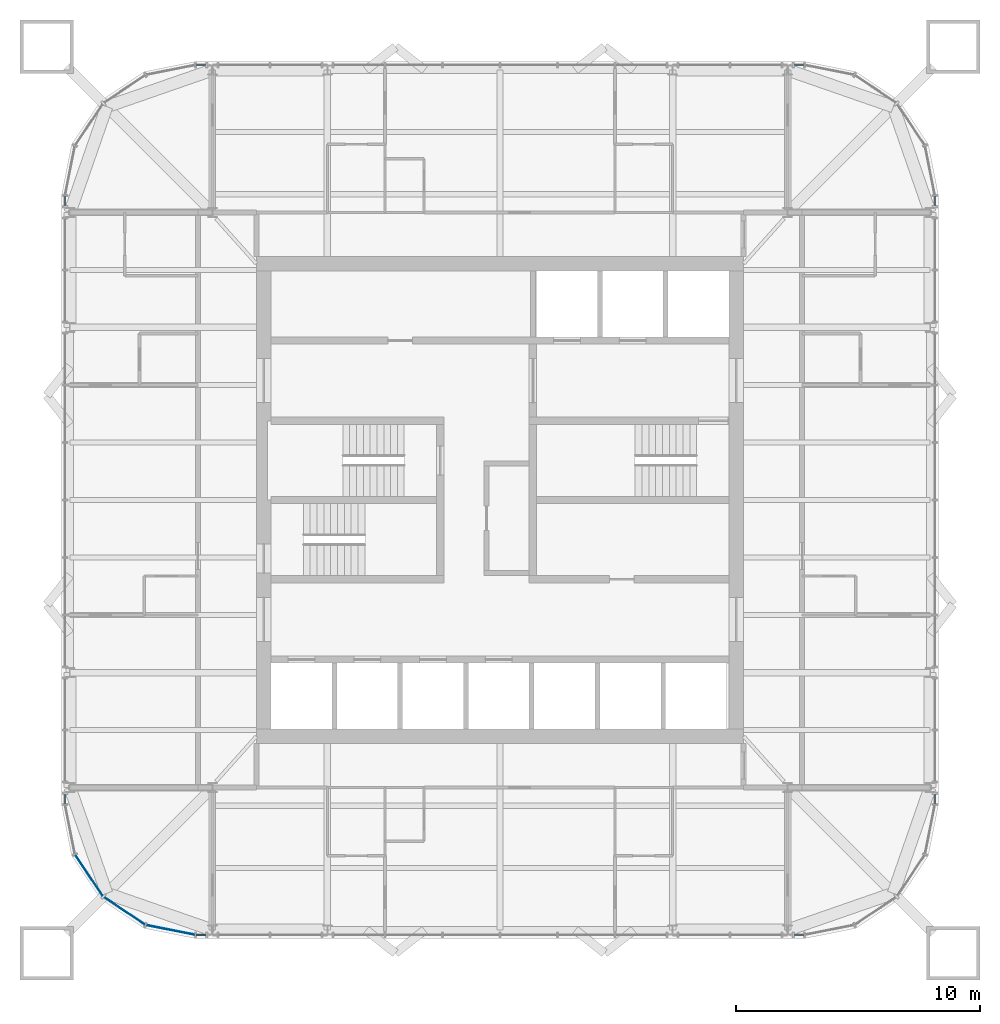
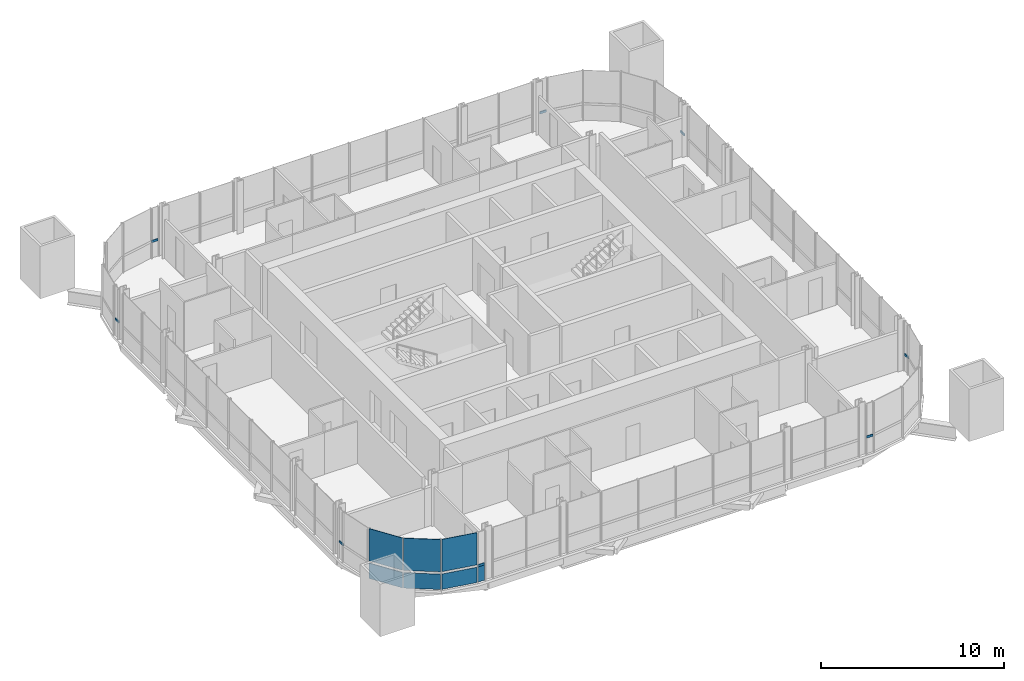
# One storey, part 7 of 17: 8 members, 7 plates, 9 elements without a shape of their own.
"""IFC4 building model written with IfcOpenShell, lengths in metres."""

from ifc_helpers import new_model, si_unit, direction, frame, origin, origin_2d, place, context, subcontext, project, spatial, rectangle, extrude, material, layer, layer_set, material_profile, profile_set, type_object, element, aggregate, save


model = new_model("IFC4")

# Units and contexts
model_context = context("Model", 3, precision=1e-05, world=origin(), true_north=direction((0.0, 1.0)))
body_context = subcontext(model_context, "Body", "Model", "MODEL_VIEW")
ifc_project = project(units=[si_unit("LENGTHUNIT", "METRE"), si_unit("AREAUNIT", "SQUARE_METRE"), si_unit("VOLUMEUNIT", "CUBIC_METRE"), si_unit("PLANEANGLEUNIT", "RADIAN"), si_unit("MASSUNIT", "GRAM", prefix="KILO")], contexts=[model_context])

# Site, building, storey
site_placement = place(None, origin())
site = spatial("IfcSite", under=ifc_project, at=site_placement, CompositionType="ELEMENT")
building_placement = place(site_placement, origin())
building = spatial("IfcBuilding", under=site, at=building_placement, Name="Turquesa Mirador Hotel Tower", CompositionType="ELEMENT")
storey_placement = place(building_placement, frame((0.0, 0.0, 254.699951171875)))
storey = spatial("IfcBuildingStorey", under=building, at=storey_placement, Name="L69", CompositionType="ELEMENT", Elevation=254.699951171875)

# Curtain wall, member
ifc_material_1 = material(Name="Aluminium extrusion", Category="aluminium")
curtain_wall_type = type_object("IfcCurtainWallType", Name="CW-4 SUITE FRITTED CURTAIN WALL", PredefinedType="USERDEFINED", material=ifc_material_1)
curtain_wall_1_placement = place(storey_placement, origin())
curtain_wall_1 = element("IfcCurtainWall", 1, at=curtain_wall_1_placement, inside=storey, type_object=curtain_wall_type, Name="CW-4 SUITE FRITTED CURTAIN WALL L69", ObjectType="CURTAIN WALL", PredefinedType="USERDEFINED")
ifc_material_2 = material(Name="Aluminium extrusion", Category="aluminium")
ifc_material_profile = material_profile(ifc_material_2, rectangle(XDim=0.06494140625, YDim=0.14990234375, at=origin_2d()), Name="TRANSOM 65X150")
ifc_profile_set = profile_set([ifc_material_profile], Name="Aluminium extrusion")
member_type = type_object("IfcMemberType", Name="CW TRANSOM 65X150", PredefinedType="USERDEFINED", material=ifc_profile_set)
member_1_placement = place(storey_placement, frame((72.85009765625, 32.532470703125, 1.10009765625), z_axis=(0.0, 1.0, 0.0), x_axis=(-1.0, 0.0, 0.0)))
member_1 = element("IfcMember", 2, at=member_1_placement, type_object=member_type, Name="Transom", ObjectType="TRANSOM", PredefinedType="USERDEFINED", context=body_context, shape_type="SweptSolid", body=[
    extrude(rectangle(XDim=0.06494140625, YDim=0.14990234375, at=origin_2d()), origin(), (0.0, 0.0, 1.0), 0.401123046875),
])
aggregate(curtain_wall_1, [member_1])

curtain_wall_2_placement = place(storey_placement, origin())
curtain_wall_2 = element("IfcCurtainWall", 3, at=curtain_wall_2_placement, inside=storey, type_object=curtain_wall_type, Name="CW-4 SUITE FRITTED CURTAIN WALL L69", ObjectType="CURTAIN WALL", PredefinedType="USERDEFINED")
member_2_placement = place(storey_placement, frame((72.85009765625, 57.06640625, 1.10009765625), z_axis=(0.0, 1.0, 0.0), x_axis=(-1.0, 0.0, 0.0)))
member_2 = element("IfcMember", 4, at=member_2_placement, type_object=member_type, Name="Transom", ObjectType="TRANSOM", PredefinedType="USERDEFINED", context=body_context, shape_type="SweptSolid", body=[
    extrude(rectangle(XDim=0.06494140625, YDim=0.14990234375, at=origin_2d()), origin(), (0.0, 0.0, 1.0), 0.401123046875),
])
aggregate(curtain_wall_2, [member_2])

curtain_wall_3_placement = place(storey_placement, origin())
curtain_wall_3 = element("IfcCurtainWall", 5, at=curtain_wall_3_placement, inside=storey, type_object=curtain_wall_type, Name="CW-4 SUITE FRITTED CURTAIN WALL L69", ObjectType="CURTAIN WALL", PredefinedType="USERDEFINED")
member_3_placement = place(storey_placement, frame((67.467529296875, 62.85009765625, 1.10009765625), z_axis=(-1.0, 0.0, 0.0), x_axis=(0.0, -1.0, 0.0)))
member_3 = element("IfcMember", 6, at=member_3_placement, type_object=member_type, Name="Transom", ObjectType="TRANSOM", PredefinedType="USERDEFINED", context=body_context, shape_type="SweptSolid", body=[
    extrude(rectangle(XDim=0.06494140625, YDim=0.14990234375, at=origin_2d()), origin(), (0.0, 0.0, 1.0), 0.401123046875),
])
aggregate(curtain_wall_3, [member_3])

curtain_wall_4_placement = place(storey_placement, origin())
curtain_wall_4 = element("IfcCurtainWall", 7, at=curtain_wall_4_placement, inside=storey, type_object=curtain_wall_type, Name="CW-4 SUITE FRITTED CURTAIN WALL L69", ObjectType="CURTAIN WALL", PredefinedType="USERDEFINED")
member_4_placement = place(storey_placement, frame((42.93359375, 62.85009765625, 1.10009765625), z_axis=(-1.0, 0.0, 0.0), x_axis=(0.0, -1.0, 0.0)))
member_4 = element("IfcMember", 8, at=member_4_placement, type_object=member_type, Name="Transom", ObjectType="TRANSOM", PredefinedType="USERDEFINED", context=body_context, shape_type="SweptSolid", body=[
    extrude(rectangle(XDim=0.06494140625, YDim=0.14990234375, at=origin_2d()), origin(), (0.0, 0.0, 1.0), 0.401123046875),
])
aggregate(curtain_wall_4, [member_4])

curtain_wall_5_placement = place(storey_placement, origin())
curtain_wall_5 = element("IfcCurtainWall", 9, at=curtain_wall_5_placement, inside=storey, type_object=curtain_wall_type, Name="CW-4 SUITE FRITTED CURTAIN WALL L69", ObjectType="CURTAIN WALL", PredefinedType="USERDEFINED")
member_5_placement = place(storey_placement, frame((37.14990234375, 57.467529296875, 1.10009765625), z_axis=(0.0, -1.0, 0.0), x_axis=(1.0, 0.0, 0.0)))
member_5 = element("IfcMember", 10, at=member_5_placement, type_object=member_type, Name="Transom", ObjectType="TRANSOM", PredefinedType="USERDEFINED", context=body_context, shape_type="SweptSolid", body=[
    extrude(rectangle(XDim=0.06494140625, YDim=0.14990234375, at=origin_2d()), origin(), (0.0, 0.0, 1.0), 0.401123046875),
])
aggregate(curtain_wall_5, [member_5])

curtain_wall_6_placement = place(storey_placement, origin())
curtain_wall_6 = element("IfcCurtainWall", 11, at=curtain_wall_6_placement, inside=storey, type_object=curtain_wall_type, Name="CW-4 SUITE FRITTED CURTAIN WALL L69", ObjectType="CURTAIN WALL", PredefinedType="USERDEFINED")
member_6_placement = place(storey_placement, frame((37.14990234375, 32.93359375, 1.10009765625), z_axis=(0.0, -1.0, 0.0), x_axis=(1.0, 0.0, 0.0)))
member_6 = element("IfcMember", 12, at=member_6_placement, type_object=member_type, Name="Transom", ObjectType="TRANSOM", PredefinedType="USERDEFINED", context=body_context, shape_type="SweptSolid", body=[
    extrude(rectangle(XDim=0.06494140625, YDim=0.14990234375, at=origin_2d()), origin(), (0.0, 0.0, 1.0), 0.401123046875),
])
aggregate(curtain_wall_6, [member_6])

curtain_wall_7_placement = place(storey_placement, origin())
curtain_wall_7 = element("IfcCurtainWall", 13, at=curtain_wall_7_placement, inside=storey, type_object=curtain_wall_type, Name="CW-4 SUITE FRITTED CURTAIN WALL L69", ObjectType="CURTAIN WALL", PredefinedType="USERDEFINED")
member_7_placement = place(storey_placement, frame((42.532470703125, 27.14990234375, 1.10009765625), z_axis=(1.0, 0.0, 0.0), x_axis=(0.0, 1.0, 0.0)))
member_7 = element("IfcMember", 14, at=member_7_placement, type_object=member_type, Name="Transom", ObjectType="TRANSOM", PredefinedType="USERDEFINED", context=body_context, shape_type="SweptSolid", body=[
    extrude(rectangle(XDim=0.06494140625, YDim=0.14990234375, at=origin_2d()), origin(), (0.0, 0.0, 1.0), 0.401123046875),
])

curtain_wall_8_placement = place(storey_placement, origin())
curtain_wall_8 = element("IfcCurtainWall", 15, at=curtain_wall_8_placement, inside=storey, type_object=curtain_wall_type, Name="CW-4 SUITE FRITTED CURTAIN WALL L69", ObjectType="CURTAIN WALL", PredefinedType="USERDEFINED")
member_8_placement = place(storey_placement, frame((67.06640625, 27.14990234375, 1.10009765625), z_axis=(1.0, 0.0, 0.0), x_axis=(0.0, 1.0, 0.0)))
member_8 = element("IfcMember", 16, at=member_8_placement, type_object=member_type, Name="Transom", ObjectType="TRANSOM", PredefinedType="USERDEFINED", context=body_context, shape_type="SweptSolid", body=[
    extrude(rectangle(XDim=0.06494140625, YDim=0.14990234375, at=origin_2d()), origin(), (0.0, 0.0, 1.0), 0.401123046875),
])
aggregate(curtain_wall_8, [member_8])

# Curtain wall, plates
curtain_wall_9_placement = place(storey_placement, origin())
curtain_wall_9 = element("IfcCurtainWall", 17, at=curtain_wall_9_placement, inside=storey, type_object=curtain_wall_type, Name="CW-4 SUITE FRITTED CURTAIN WALL L69", ObjectType="CURTAIN WALL", PredefinedType="USERDEFINED")
ifc_material_3 = material(Name="Ceramic-printed spandrel glass on an insulated back pan", Category="glass")
ifc_layer_1 = layer(ifc_material_3, 0.050048828125)
ifc_layer_set_1 = layer_set([ifc_layer_1], Name="CW PANEL SPANDREL CERAMIC")
plate_type_1 = type_object("IfcPlateType", Name="CW PANEL SPANDREL CERAMIC", PredefinedType="CURTAIN_PANEL", material=ifc_layer_set_1)
plate_1_placement = place(storey_placement, frame((38.13720703125, 29.584716796875, 0.0), z_axis=(0.0, 0.0, 1.0), x_axis=(0.555570141754, -0.831469673284, 0.0)))
plate_1 = element("IfcPlate", 18, at=plate_1_placement, type_object=plate_type_1, Name="Panel", PredefinedType="CURTAIN_PANEL", context=body_context, shape_type="SweptSolid", body=[
    extrude(rectangle(XDim=2.0224609375, YDim=0.050048828125, at=origin_2d()), origin(), (0.0, 0.0, 1.0), 1.02490234375),
])
plate_2_placement = place(storey_placement, frame((39.584716796875, 28.13720703125, 0.0), z_axis=(0.0, 0.0, 1.0), x_axis=(0.831469673284, -0.555570141754, 0.0)))
plate_2 = element("IfcPlate", 19, at=plate_2_placement, type_object=plate_type_1, Name="Panel", PredefinedType="CURTAIN_PANEL", context=body_context, shape_type="SweptSolid", body=[
    extrude(rectangle(XDim=2.0224609375, YDim=0.050048828125, at=origin_2d()), origin(), (0.0, 0.0, 1.0), 1.02490234375),
])
plate_3_placement = place(storey_placement, frame((41.476318359375, 27.353515625, 0.0), z_axis=(0.0, 0.0, 1.0), x_axis=(0.980785228048, -0.195090585221, 0.0)))
plate_3 = element("IfcPlate", 20, at=plate_3_placement, type_object=plate_type_1, Name="Panel", PredefinedType="CURTAIN_PANEL", context=body_context, shape_type="SweptSolid", body=[
    extrude(rectangle(XDim=2.0224609375, YDim=0.050048828125, at=origin_2d()), origin(), (0.0, 0.0, 1.0), 1.02490234375),
])

# Plate
plate_4_placement = place(storey_placement, frame((42.733154296875, 27.14990234375, 0.0), z_axis=(0.0, 0.0, 1.0), x_axis=(1.0, 0.0, 0.0)))
plate_4 = element("IfcPlate", 21, at=plate_4_placement, type_object=plate_type_1, Name="Panel", PredefinedType="CURTAIN_PANEL", context=body_context, shape_type="SweptSolid", body=[
    extrude(rectangle(XDim=0.401123046875, YDim=0.050048828125, at=origin_2d()), origin(), (0.0, 0.0, 1.0), 1.02490234375),
])

aggregate(curtain_wall_7, [member_7, plate_4])

ifc_material_4 = material(Name="Ceramic-fritted laminated glass", Category="glass")
ifc_layer_2 = layer(ifc_material_4, 0.031982421875)
ifc_layer_set_2 = layer_set([ifc_layer_2], Name="CW PANEL VISION FRITTED")
plate_type_2 = type_object("IfcPlateType", Name="CW PANEL VISION FRITTED", PredefinedType="CURTAIN_PANEL", material=ifc_layer_set_2)
plate_5_placement = place(storey_placement, frame((38.13720703125, 29.584716796875, 1.1748046875), z_axis=(0.0, 0.0, 1.0), x_axis=(0.555570141754, -0.831469673284, 0.0)))
plate_5 = element("IfcPlate", 22, at=plate_5_placement, type_object=plate_type_2, Name="Panel", PredefinedType="CURTAIN_PANEL", context=body_context, shape_type="SweptSolid", body=[
    extrude(rectangle(XDim=2.0224609375, YDim=0.031982421875, at=origin_2d()), origin(), (0.0, 0.0, 1.0), 2.155029296875),
])

plate_6_placement = place(storey_placement, frame((39.584716796875, 28.13720703125, 1.1748046875), z_axis=(0.0, 0.0, 1.0), x_axis=(0.831469673284, -0.555570141754, 0.0)))
plate_6 = element("IfcPlate", 23, at=plate_6_placement, type_object=plate_type_2, Name="Panel", PredefinedType="CURTAIN_PANEL", context=body_context, shape_type="SweptSolid", body=[
    extrude(rectangle(XDim=2.0224609375, YDim=0.031982421875, at=origin_2d()), origin(), (0.0, 0.0, 1.0), 2.155029296875),
])

plate_7_placement = place(storey_placement, frame((41.476318359375, 27.353515625, 1.1748046875), z_axis=(0.0, 0.0, 1.0), x_axis=(0.980785228048, -0.195090585221, 0.0)))
plate_7 = element("IfcPlate", 24, at=plate_7_placement, type_object=plate_type_2, Name="Panel", PredefinedType="CURTAIN_PANEL", context=body_context, shape_type="SweptSolid", body=[
    extrude(rectangle(XDim=2.0224609375, YDim=0.031982421875, at=origin_2d()), origin(), (0.0, 0.0, 1.0), 2.155029296875),
])

aggregate(curtain_wall_9, [plate_1, plate_5, plate_2, plate_6, plate_3, plate_7])

save(model, "model.ifc")
